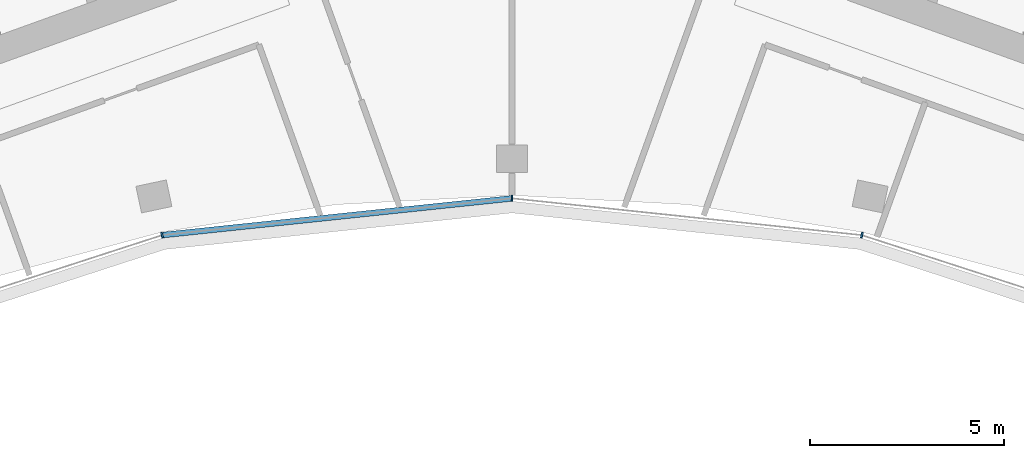
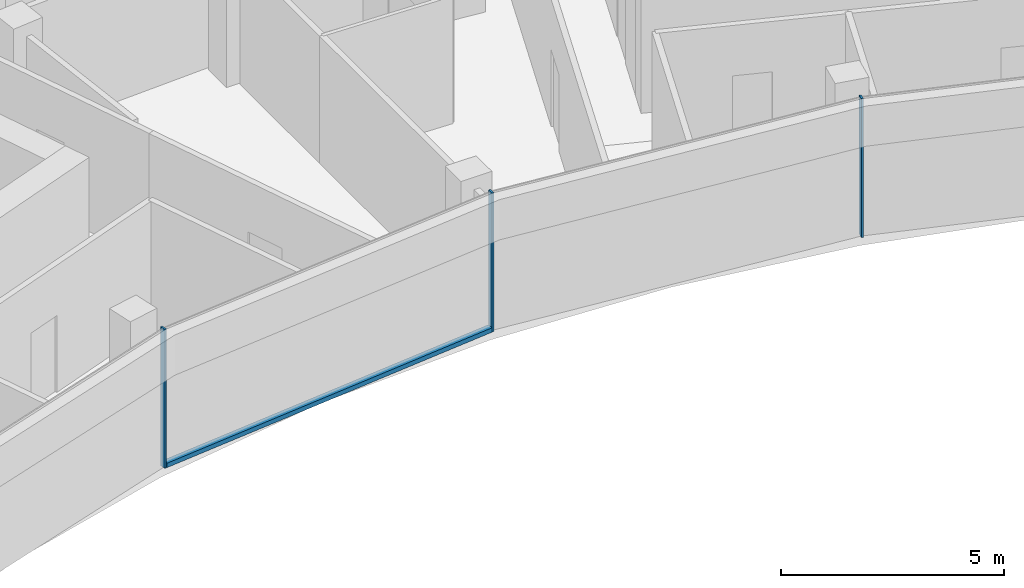
# One storey, part 5 of 19: 4 members, 1 element without a shape of its own.
"""IFC4 building model written with IfcOpenShell, lengths in metres."""

from ifc_helpers import new_model, si_unit, direction, frame, origin, origin_2d, place, context, subcontext, project, spatial, rectangle, extrude, material, layer, layer_set, material_profile, profile_set, type_object, element, aggregate, save


model = new_model("IFC4")

# Units and contexts
model_context = context("Model", 3, precision=1e-05, world=origin(), true_north=direction((0.0, 1.0)))
body_context = subcontext(model_context, "Body", "Model", "MODEL_VIEW")
ifc_project = project(units=[si_unit("LENGTHUNIT", "METRE"), si_unit("AREAUNIT", "SQUARE_METRE"), si_unit("VOLUMEUNIT", "CUBIC_METRE"), si_unit("PLANEANGLEUNIT", "RADIAN"), si_unit("MASSUNIT", "GRAM", prefix="KILO")], contexts=[model_context])

# Site, building, storey
site_placement = place(None, origin())
site = spatial("IfcSite", under=ifc_project, at=site_placement, CompositionType="ELEMENT")
building_placement = place(site_placement, origin())
building = spatial("IfcBuilding", under=site, at=building_placement, Name="Stone Belt Terrace Tower", CompositionType="ELEMENT")
storey_placement = place(building_placement, frame((0.0, 0.0, 292.199951171875)))
storey = spatial("IfcBuildingStorey", under=building, at=storey_placement, Name="L71", CompositionType="ELEMENT", Elevation=292.199951171875)

# Curtain wall, members
ifc_material = material(Name="Aluminium 6063-T6 anodised frame", Category="aluminium")
ifc_layer = layer(ifc_material, 0.14990234375)
ifc_layer_set = layer_set([ifc_layer], Name="CW-B unitised concave-face curtain wall")
curtain_wall_type = type_object("IfcCurtainWallType", Name="CW-B unitised concave-face curtain wall", PredefinedType="NOTDEFINED", material=ifc_layer_set)
curtain_wall_placement = place(storey_placement, origin())
curtain_wall = element("IfcCurtainWall", 1, at=curtain_wall_placement, inside=storey, type_object=curtain_wall_type, Name="CW-B concave face L71", PredefinedType="NOTDEFINED")
ifc_material_profile_1 = material_profile(ifc_material, rectangle(XDim=0.14990234375, YDim=0.050048828125, at=origin_2d()), Name="Aluminium 6063-T6 50x150")
ifc_profile_set_1 = profile_set([ifc_material_profile_1], Name="Aluminium 6063-T6 anodised frame")
member_type_1 = type_object("IfcMemberType", Name="CW-B mullion 50 x 150", PredefinedType="MULLION", material=ifc_profile_set_1)
member_1_placement = place(storey_placement, frame((-9.028564453125, 42.4755859375, 0.0), z_axis=(0.0, 0.0, 1.0), x_axis=(-0.207911690818, 0.978147600734, 0.0)))
member_1 = element("IfcMember", 2, at=member_1_placement, type_object=member_type_1, Name="CW-B mullion 4", PredefinedType="MULLION", context=body_context, shape_type="SweptSolid", body=[
    extrude(rectangle(XDim=0.14990234375, YDim=0.050048828125, at=origin_2d()), origin(), (0.0, 0.0, 1.0), 3.800048828125),
])
member_2_placement = place(storey_placement, frame((0.0, 43.424560546875, 0.0), z_axis=(0.0, 0.0, 1.0), x_axis=(0.0, 1.0, 0.0)))
member_2 = element("IfcMember", 3, at=member_2_placement, type_object=member_type_1, Name="CW-B mullion 5", PredefinedType="MULLION", context=body_context, shape_type="SweptSolid", body=[
    extrude(rectangle(XDim=0.14990234375, YDim=0.050048828125, at=origin_2d()), origin(), (0.0, 0.0, 1.0), 3.800048828125),
])
member_3_placement = place(storey_placement, frame((9.028564453125, 42.4755859375, 0.0), z_axis=(0.0, 0.0, 1.0), x_axis=(0.207911690818, 0.978147600734, 0.0)))
member_3 = element("IfcMember", 4, at=member_3_placement, type_object=member_type_1, Name="CW-B mullion 6", PredefinedType="MULLION", context=body_context, shape_type="SweptSolid", body=[
    extrude(rectangle(XDim=0.14990234375, YDim=0.050048828125, at=origin_2d()), origin(), (0.0, 0.0, 1.0), 3.800048828125),
])
ifc_material_profile_2 = material_profile(ifc_material, rectangle(XDim=0.14990234375, YDim=0.1201171875, at=origin_2d()), Name="Aluminium 6063-T6 150x120")
ifc_profile_set_2 = profile_set([ifc_material_profile_2], Name="Aluminium 6063-T6 anodised frame")
member_type_2 = type_object("IfcMemberType", Name="CW-B transom 120 x 150", PredefinedType="USERDEFINED", material=ifc_profile_set_2)
member_4_placement = place(storey_placement, frame((-8.995849609375, 42.47900390625, 0.06005859375), z_axis=(0.994521323407, 0.104533904969, 0.0), x_axis=(-0.104533904969, 0.994521323407, 0.0)))
member_4 = element("IfcMember", 5, at=member_4_placement, type_object=member_type_2, Name="CW-B transom 4.1", ObjectType="TRANSOM", PredefinedType="USERDEFINED", context=body_context, shape_type="SweptSolid", body=[
    extrude(rectangle(XDim=0.14990234375, YDim=0.1201171875, at=origin_2d()), origin(), (0.0, 0.0, 1.0), 9.0126953125),
])
aggregate(curtain_wall, [member_1, member_2, member_3, member_4])

save(model, "model.ifc")
